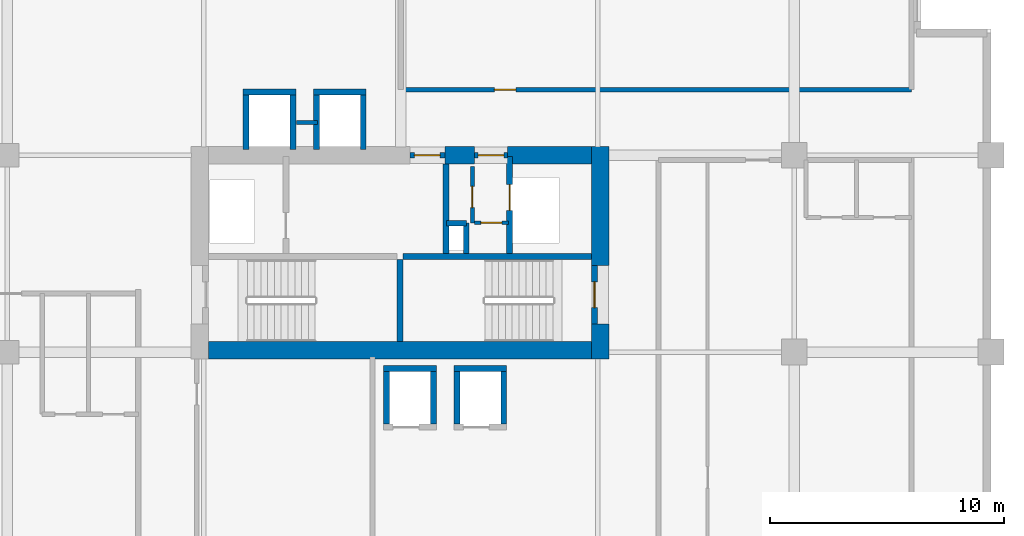
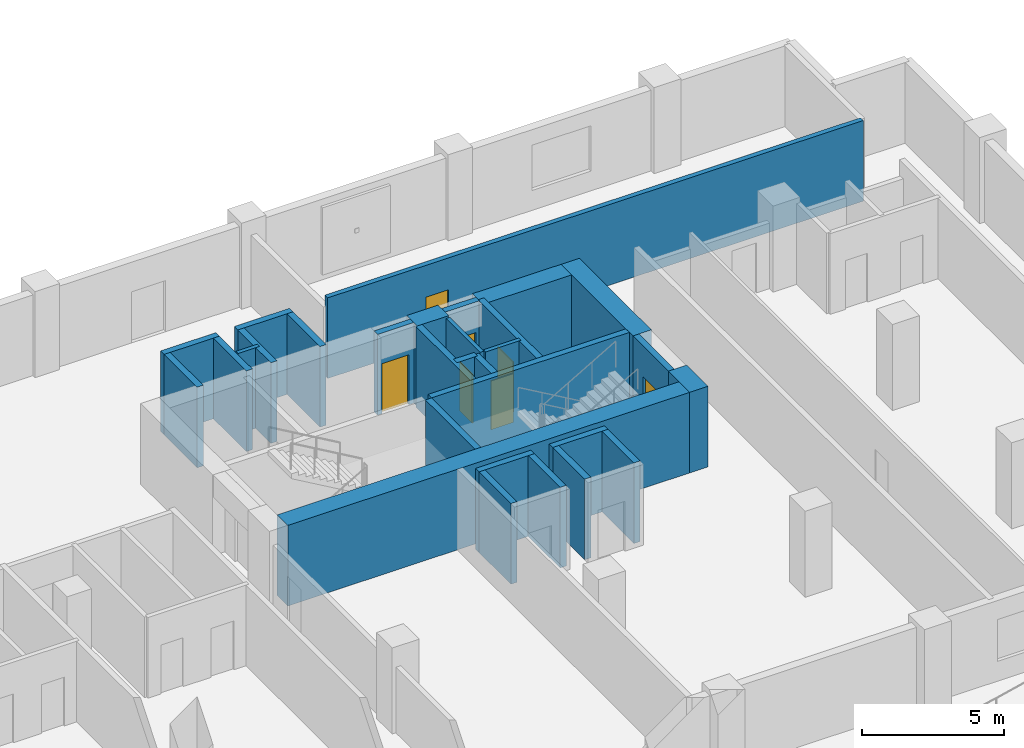
# One storey, part 6 of 16: 30 walls, 7 doors, 7 openings.
"""IFC4 building model written with IfcOpenShell, lengths in metres."""

import ifcopenshell
import ifcopenshell.guid

model = None  # the IFC model being written
_history = None  # IfcOwnerHistory: only IFC2X3 demands one
_inside = {}  # id of a spatial element -> (the spatial element, [elements in it])
_under = {}  # id of a project, library or spatial element -> (it, [spatial elements below it])
_declared = {}  # id of a project -> (the project, [libraries it declares])
_typed = {}  # id of a type object -> (the type object, [elements of that type])
_made_of = {}  # id of a material, layer set ... -> (it, [elements and type objects made of it])


def new_model(schema):
    """Start an empty IFC model of exactly this schema.

    Asked for "IFC4X3", IfcOpenShell would pick the latest addendum, in which some entities
    have other attributes; the version numbers below select the first issue.
    IFC2X3 requires an IfcOwnerHistory on every rooted entity: one is made here for all.
    """
    global model, _history
    if schema == "IFC4X3":
        model = ifcopenshell.file(schema_version=(4, 3, 0, 0))
    else:
        model = ifcopenshell.file(schema=schema)
    _inside.clear()
    _under.clear()
    _declared.clear()
    _typed.clear()
    _made_of.clear()
    _history = None
    if model.schema == "IFC2X3":
        org = make("IfcOrganization", Name="unknown")
        user = make(
            "IfcPersonAndOrganization",
            ThePerson=make("IfcPerson", FamilyName="unknown"),
            TheOrganization=org,
        )
        app = make(
            "IfcApplication",
            ApplicationDeveloper=org,
            Version="unknown",
            ApplicationFullName="unknown",
            ApplicationIdentifier="unknown",
        )
        _history = make(
            "IfcOwnerHistory",
            OwningUser=user,
            OwningApplication=app,
            ChangeAction="ADDED",
            CreationDate=0,
        )
    return model


def make(cls, **values):
    """One entity of the class cls with the attributes given. An attribute that is None is left unset."""
    return model.create_entity(
        cls, **{name: value for name, value in values.items() if value is not None}
    )


def rooted(cls, **values):
    """An entity with a GlobalId (a new one), such as an element, a storey or a relation."""
    return make(cls, GlobalId=ifcopenshell.guid.new(), OwnerHistory=_history, **values)


def si_unit(unit_type, name, prefix=None):
    """IfcSIUnit, for example si_unit("LENGTHUNIT", "METRE", prefix="MILLI")."""
    return make("IfcSIUnit", UnitType=unit_type, Prefix=prefix, Name=name)


def assignment(units):
    """IfcUnitAssignment: the units of a project."""
    return None if units is None else make("IfcUnitAssignment", Units=units)


def point(xyz):
    """IfcCartesianPoint."""
    return None if xyz is None else make("IfcCartesianPoint", Coordinates=xyz)


def direction(xyz):
    """IfcDirection."""
    return None if xyz is None else make("IfcDirection", DirectionRatios=xyz)


def frame(location, z_axis=None, x_axis=None):
    """IfcAxis2Placement3D, a coordinate frame: its origin and axes. An axis left out is left unset."""
    return make(
        "IfcAxis2Placement3D",
        Location=point(location),
        Axis=direction(z_axis),
        RefDirection=direction(x_axis),
    )


def frame_2d(location, x_axis=None):
    """IfcAxis2Placement2D, a coordinate frame in the plane: its origin and x axis."""
    return make(
        "IfcAxis2Placement2D", Location=point(location), RefDirection=direction(x_axis)
    )


def origin():
    """The frame at (0, 0, 0) with its axes left unset."""
    return frame((0.0, 0.0, 0.0))


def place(relative_to, where):
    """IfcLocalPlacement: puts the frame where relative to a parent placement (None: the world)."""
    return make(
        "IfcLocalPlacement", PlacementRelTo=relative_to, RelativePlacement=where
    )


def context(
    kind, dimensions, precision=None, world=None, true_north=None, identifier=None
):
    """IfcGeometricRepresentationContext, for example the 3D "Model" context."""
    return make(
        "IfcGeometricRepresentationContext",
        ContextIdentifier=identifier,
        ContextType=kind,
        CoordinateSpaceDimension=dimensions,
        Precision=precision,
        WorldCoordinateSystem=world,
        TrueNorth=true_north,
    )


def subcontext(parent, identifier, kind, view, scale=None):
    """IfcGeometricRepresentationSubContext, for example "Body" below "Model"."""
    return make(
        "IfcGeometricRepresentationSubContext",
        ContextIdentifier=identifier,
        ContextType=kind,
        ParentContext=parent,
        TargetScale=scale,
        TargetView=view,
    )


def project(units=None, contexts=None):
    """IfcProject with its units and contexts."""
    return rooted(
        "IfcProject",
        Name="project",
        RepresentationContexts=contexts,
        UnitsInContext=assignment(units),
    )


def spatial(cls, under=None, at=None, **own):
    """A site, building, storey or space (cls), placed at a placement, below another one or the project."""
    s = rooted(cls, ObjectPlacement=at, **own)
    if under is not None:
        _under.setdefault(under.id(), (under, []))[1].append(s)
    return s


def profile(cls, at=None, kind="AREA", **sizes):
    """A parametric profile (cls). Its sizes go by their IFC names, for example OverallWidth=200.0."""
    return make(cls, ProfileType=kind, Position=at, **sizes)


def rectangle(**sizes):
    """IfcRectangleProfileDef."""
    return profile("IfcRectangleProfileDef", **sizes)


def extrude(swept, where, along, depth):
    """IfcExtrudedAreaSolid: the profile swept, set in the frame where, extruded along a direction by depth."""
    return make(
        "IfcExtrudedAreaSolid",
        SweptArea=swept,
        Position=where,
        ExtrudedDirection=direction(along),
        Depth=depth,
    )


def shape(context_of_items, identifier, shape_type, items):
    """IfcShapeRepresentation: the items that make up one representation, for example the "Body"."""
    return make(
        "IfcShapeRepresentation",
        ContextOfItems=context_of_items,
        RepresentationIdentifier=identifier,
        RepresentationType=shape_type,
        Items=items,
    )


def material(Name=None, Category=None):
    """IfcMaterial."""
    return make("IfcMaterial", Name=Name, Category=Category)


def layer(
    of_material, thickness, ventilated=None, Name=None, Category=None, Priority=None
):
    """IfcMaterialLayer: one layer of a wall or slab, of a material (None: an air gap)."""
    return make(
        "IfcMaterialLayer",
        Material=of_material,
        LayerThickness=thickness,
        IsVentilated=ventilated,
        Name=Name,
        Category=Category,
        Priority=Priority,
    )


def layer_set(layers, Name=None):
    """IfcMaterialLayerSet."""
    return make("IfcMaterialLayerSet", MaterialLayers=layers, LayerSetName=Name)


def made_of(thing, what):
    """Note that an element or type object is made of a material, layer set ...; save() writes the relation."""
    if what is not None:
        _made_of.setdefault(what.id(), (what, []))[1].append(thing)
    return thing


def type_object(cls, material=None, **own):
    """A type object (cls), such as IfcWallType, which elements share."""
    return made_of(rooted(cls, **own), material)


def element(
    cls,
    number,
    at=None,
    inside=None,
    cuts=None,
    type_object=None,
    material=None,
    context=None,
    identifier="Body",
    shape_type=None,
    held_by="IfcProductDefinitionShape",
    body=None,
    shapes=None,
    **own,
):
    """One element of the class cls, such as IfcWall. Its Tag is "e" and its number.

    at: its placement. inside: the storey or other place that contains it. cuts: it is an
    opening in that element (IfcRelVoidsElement). A single representation is given by context,
    identifier, shape_type and body (its items); several are given by shapes. held_by: the class
    of the entity that holds the representations. save() writes the other relations.
    """
    e = rooted(cls, Tag="e%d" % number, ObjectPlacement=at, **own)
    if body is not None:
        shapes = [shape(context, identifier, shape_type, body)]
    if shapes is not None:
        e.Representation = make(held_by, Representations=shapes)
    if inside is not None:
        _inside.setdefault(inside.id(), (inside, []))[1].append(e)
    if cuts is not None:
        rooted(
            "IfcRelVoidsElement", RelatingBuildingElement=cuts, RelatedOpeningElement=e
        )
    if type_object is not None:
        _typed.setdefault(type_object.id(), (type_object, []))[1].append(e)
    return made_of(e, material)


def fill(opening, filler):
    """IfcRelFillsElement: the door or window that sits in an opening."""
    return rooted(
        "IfcRelFillsElement",
        RelatingOpeningElement=opening,
        RelatedBuildingElement=filler,
    )


def aggregate(whole, parts):
    """IfcRelAggregates: a whole, such as a stair, and the parts it consists of."""
    return rooted("IfcRelAggregates", RelatingObject=whole, RelatedObjects=parts)


def save(model, path):
    """Write the relations noted so far, then the file.

    IfcRelAggregates (storeys below a building ...), IfcRelContainedInSpatialStructure (elements
    in a storey), IfcRelDefinesByType, IfcRelAssociatesMaterial and IfcRelDeclares: one each for
    every whole, place, type object, material and project.
    """
    for whole, parts in _under.values():
        aggregate(whole, parts)
    for where, things in _inside.values():
        rooted(
            "IfcRelContainedInSpatialStructure",
            RelatedElements=things,
            RelatingStructure=where,
        )
    for kind, things in _typed.values():
        rooted("IfcRelDefinesByType", RelatedObjects=things, RelatingType=kind)
    for what, things in _made_of.values():
        rooted("IfcRelAssociatesMaterial", RelatedObjects=things, RelatingMaterial=what)
    for by, libraries in _declared.values():
        rooted("IfcRelDeclares", RelatingContext=by, RelatedDefinitions=libraries)
    model.write(path)


model = new_model("IFC4")

# Units and contexts
model_context = context("Model", 3, precision=1e-05, world=origin(), true_north=direction((0.0, 1.0)))
body_context = subcontext(model_context, "Body", "Model", "MODEL_VIEW")
ifc_project = project(units=[si_unit("LENGTHUNIT", "METRE"), si_unit("AREAUNIT", "SQUARE_METRE"), si_unit("VOLUMEUNIT", "CUBIC_METRE"), si_unit("PLANEANGLEUNIT", "RADIAN"), si_unit("MASSUNIT", "GRAM", prefix="KILO")], contexts=[model_context])

# Site, building, storey
site_placement = place(None, origin())
site = spatial("IfcSite", under=ifc_project, at=site_placement, CompositionType="ELEMENT")
building_placement = place(site_placement, origin())
building = spatial("IfcBuilding", under=site, at=building_placement, Name="Koriwani Terraces Tower", CompositionType="ELEMENT")
storey_placement = place(building_placement, frame((0.0, 0.0, 179.10009765625)))
storey = spatial("IfcBuildingStorey", under=building, at=storey_placement, Name="L43", CompositionType="ELEMENT", Elevation=179.10009765625)

# Walls
ifc_material_1 = material(Name="Concrete C60/75", Category="concrete")
ifc_layer_1 = layer(ifc_material_1, 0.75, Name="Concrete C60/75")
ifc_layer_set_1 = layer_set([ifc_layer_1], Name="Concrete C60/75")
wall_type_1 = type_object("IfcWallType", Name="WALL_CORE_RC_750", PredefinedType="SHEAR", material=ifc_layer_set_1)
wall_1_placement = place(storey_placement, frame((58.925048828125, 16.5, 0.0), z_axis=(0.0, 0.0, 1.0), x_axis=(0.0, 1.0, 0.0)))
element("IfcWall", 1, at=wall_1_placement, inside=storey, type_object=wall_type_1, Name="L43 East Split Core Shear Wall E1", PredefinedType="SHEAR", context=body_context, shape_type="SweptSolid", body=[
    extrude(rectangle(XDim=1.5, YDim=0.75, at=frame_2d((0.75, 0.0))), origin(), (0.0, 0.0, 1.0), 3.469970703125),
])
wall_2_placement = place(storey_placement, frame((58.925048828125, 20.5, 0.0), z_axis=(0.0, 0.0, 1.0), x_axis=(0.0, 1.0, 0.0)))
element("IfcWall", 2, at=wall_2_placement, inside=storey, type_object=wall_type_1, Name="L43 East Split Core Shear Wall E2", PredefinedType="SHEAR", context=body_context, shape_type="SweptSolid", body=[
    extrude(rectangle(XDim=5.074951171875, YDim=0.75, at=frame_2d((2.53759765625, 0.0))), origin(), (0.0, 0.0, 1.0), 3.469970703125),
])
wall_3_placement = place(storey_placement, frame((42.199951171875, 16.875, 0.0), z_axis=(0.0, 0.0, 1.0), x_axis=(1.0, 0.0, 0.0)))
element("IfcWall", 3, at=wall_3_placement, inside=storey, type_object=wall_type_1, Name="L43 East Split Core Shear Wall S1", PredefinedType="SHEAR", context=body_context, shape_type="SweptSolid", body=[
    extrude(rectangle(XDim=16.35009765625, YDim=0.75, at=frame_2d((8.175048828125, 0.0))), origin(), (0.0, 0.0, 1.0), 3.469970703125),
])
wall_4_placement = place(storey_placement, frame((52.280029296875, 25.199951171875, 0.0), z_axis=(0.0, 0.0, 1.0), x_axis=(1.0, 0.0, 0.0)))
element("IfcWall", 4, at=wall_4_placement, inside=storey, type_object=wall_type_1, Name="L43 East Split Core Shear Wall N2", PredefinedType="SHEAR", context=body_context, shape_type="SweptSolid", body=[
    extrude(rectangle(XDim=1.27001953125, YDim=0.75, at=frame_2d((0.635009765625, 0.0))), origin(), (0.0, 0.0, 1.0), 3.469970703125),
])
wall_5_placement = place(storey_placement, frame((54.949951171875, 25.199951171875, 0.0), z_axis=(0.0, 0.0, 1.0), x_axis=(1.0, 0.0, 0.0)))
element("IfcWall", 5, at=wall_5_placement, inside=storey, type_object=wall_type_1, Name="L43 East Split Core Shear Wall N3", PredefinedType="SHEAR", context=body_context, shape_type="SweptSolid", body=[
    extrude(rectangle(XDim=3.60009765625, YDim=0.75, at=frame_2d((1.800048828125, 0.0))), origin(), (0.0, 0.0, 1.0), 3.469970703125),
])

# Wall, opening, door
ifc_material_2 = material(Name="Autoclaved Cellular Concrete Blockwork", Category="masonry")
ifc_layer_2 = layer(ifc_material_2, 0.199951171875, Name="Autoclaved Cellular Concrete Blockwork")
ifc_layer_set_2 = layer_set([ifc_layer_2], Name="Autoclaved Cellular Concrete Blockwork")
wall_type_2 = type_object("IfcWallType", Name="WALL_CORRIDOR_200", PredefinedType="PARTITIONING", material=ifc_layer_set_2)
wall_6_placement = place(storey_placement, frame((50.39990234375, 28.0, 0.0), z_axis=(0.0, 0.0, 1.0), x_axis=(1.0, 0.0, 0.0)))
wall_6 = element("IfcWall", 6, at=wall_6_placement, inside=storey, type_object=wall_type_2, Name="L43 Interior Wall WSEC-S-L43", PredefinedType="PARTITIONING", context=body_context, shape_type="SweptSolid", body=[
    extrude(rectangle(XDim=21.800048828125, YDim=0.199951171875, at=frame_2d((10.89990234375, 0.0))), origin(), (0.0, 0.0, 1.0), 3.469970703125),
])
opening_1_placement = place(wall_6_placement, frame((4.0, 0.0, 0.0)))
opening_1 = element("IfcOpeningElement", 7, at=opening_1_placement, cuts=wall_6, Name="Opening D-06", PredefinedType="OPENING", context=body_context, shape_type="SweptSolid", body=[
    extrude(rectangle(XDim=0.919921875, YDim=2.10009765625, at=frame_2d((0.4599609375, 1.050048828125))), frame((0.0, 0.10986328125, 0.0), z_axis=(0.0, -1.0, 0.0), x_axis=(1.0, 0.0, 0.0)), (0.0, 0.0, 1.0), 0.219970703125),
])
ifc_material_3 = material(Name="Architectural Oak Fire Door", Category="wood")
door_type_1 = type_object("IfcDoorType", Name="DOOR_ROOM_INT_920X2100", OperationType="NOTDEFINED", PredefinedType="DOOR", material=ifc_material_3)
door_1_placement = place(opening_1_placement, origin())
door_1 = element("IfcDoor", 8, at=door_1_placement, inside=storey, type_object=door_type_1, Name="L43 East Court Study Door", OperationType="SINGLE_SWING_RIGHT", OverallHeight=2.10009765625, OverallWidth=0.919921875, PredefinedType="DOOR", context=body_context, shape_type="SweptSolid", body=[
    extrude(rectangle(XDim=0.919921875, YDim=2.10009765625, at=frame_2d((0.4599609375, 1.050048828125))), frame((0.0, 0.02490234375, 0.0), z_axis=(0.0, -1.0, 0.0), x_axis=(1.0, 0.0, 0.0)), (0.0, 0.0, 1.0), 0.050048828125),
])
fill(opening_1, door_1)

# Walls
ifc_material_4 = material(Name="Concrete C40/50", Category="concrete")
ifc_layer_3 = layer(ifc_material_4, 0.25, Name="Concrete C40/50")
ifc_layer_set_3 = layer_set([ifc_layer_3], Name="Concrete C40/50")
wall_type_3 = type_object("IfcWallType", Name="WALL_SHAFT_RATED_250", PredefinedType="SOLIDWALL", material=ifc_layer_set_3)
wall_7_placement = place(storey_placement, frame((50.5, 20.875, 0.0), z_axis=(0.0, 0.0, 1.0), x_axis=(1.0, 0.0, 0.0)))
element("IfcWall", 9, at=wall_7_placement, inside=storey, type_object=wall_type_3, Name="L43 East Split Core Web Wall MID2", PredefinedType="SOLIDWALL", context=body_context, shape_type="SweptSolid", body=[
    extrude(rectangle(XDim=8.050048828125, YDim=0.25, at=frame_2d((4.02490234375, 0.0))), origin(), (0.0, 0.0, 1.0), 3.469970703125),
])
wall_8_placement = place(storey_placement, frame((50.375, 17.25, 0.0), z_axis=(0.0, 0.0, 1.0), x_axis=(0.0, 1.0, 0.0)))
element("IfcWall", 10, at=wall_8_placement, inside=storey, type_object=wall_type_3, Name="L43 East Split Core Stair Dividing Wall", PredefinedType="SOLIDWALL", context=body_context, shape_type="SweptSolid", body=[
    extrude(rectangle(XDim=3.5, YDim=0.25, at=frame_2d((1.75, 0.0))), origin(), (0.0, 0.0, 1.0), 3.469970703125),
])

# Wall, opening, door
wall_9_placement = place(storey_placement, frame((58.675048828125, 18.0, 0.0), z_axis=(0.0, 0.0, 1.0), x_axis=(0.0, 1.0, 0.0)))
wall_9 = element("IfcWall", 11, at=wall_9_placement, inside=storey, type_object=wall_type_3, Name="L43 Interior Wall WIN-CE-L43-STE", PredefinedType="SOLIDWALL", context=body_context, shape_type="SweptSolid", body=[
    extrude(rectangle(XDim=2.5, YDim=0.25, at=frame_2d((1.25, 0.0))), origin(), (0.0, 0.0, 1.0), 3.469970703125),
])
opening_2_placement = place(wall_9_placement, frame((0.699951171875, 0.0, 0.0)))
opening_2 = element("IfcOpeningElement", 12, at=opening_2_placement, cuts=wall_9, Name="Opening D-03", PredefinedType="OPENING", context=body_context, shape_type="SweptSolid", body=[
    extrude(rectangle(XDim=1.10009765625, YDim=2.14990234375, at=frame_2d((0.550048828125, 1.074951171875))), frame((0.0, 0.135009765625, 0.0), z_axis=(0.0, -1.0, 0.0), x_axis=(1.0, 0.0, 0.0)), (0.0, 0.0, 1.0), 0.27001953125),
])
ifc_material_5 = material(Name="Steel ASTM A572 Grade 50", Category="steel")
door_type_2 = type_object("IfcDoorType", Name="DOOR_STAIR_FIRE_1100X2150", OperationType="NOTDEFINED", PredefinedType="DOOR", material=ifc_material_5)
door_2_placement = place(opening_2_placement, origin())
door_2 = element("IfcDoor", 13, at=door_2_placement, inside=storey, type_object=door_type_2, Name="L43 Exit Stair ST-E2 Door", OperationType="SINGLE_SWING_RIGHT", OverallHeight=2.14990234375, OverallWidth=1.10009765625, PredefinedType="DOOR", context=body_context, shape_type="SweptSolid", body=[
    extrude(rectangle(XDim=1.10009765625, YDim=2.14990234375, at=frame_2d((0.550048828125, 1.074951171875))), frame((0.0, 0.02490234375, 0.0), z_axis=(0.0, -1.0, 0.0), x_axis=(1.0, 0.0, 0.0)), (0.0, 0.0, 1.0), 0.050048828125),
])
fill(opening_2, door_2)

wall_10_placement = place(storey_placement, frame((50.800048828125, 25.199951171875, 0.0), z_axis=(0.0, 0.0, 1.0), x_axis=(1.0, 0.0, 0.0)))
wall_10 = element("IfcWall", 14, at=wall_10_placement, inside=storey, type_object=wall_type_3, Name="L43 Interior Wall WIN-CE-L43-NP", PredefinedType="SOLIDWALL", context=body_context, shape_type="SweptSolid", body=[
    extrude(rectangle(XDim=1.47998046875, YDim=0.25, at=frame_2d((0.739990234375, 0.0))), origin(), (0.0, 0.0, 1.0), 3.469970703125),
])
opening_3_placement = place(wall_10_placement, frame((0.179931640625, 0.0, 0.0)))
opening_3 = element("IfcOpeningElement", 15, at=opening_3_placement, cuts=wall_10, Name="Opening D-03", PredefinedType="OPENING", context=body_context, shape_type="SweptSolid", body=[
    extrude(rectangle(XDim=1.10009765625, YDim=2.14990234375, at=frame_2d((0.550048828125, 1.074951171875))), frame((0.0, 0.135009765625, 0.0), z_axis=(0.0, -1.0, 0.0), x_axis=(1.0, 0.0, 0.0)), (0.0, 0.0, 1.0), 0.27001953125),
])
door_3_placement = place(opening_3_placement, origin())
door_3 = element("IfcDoor", 16, at=door_3_placement, inside=storey, type_object=door_type_2, Name="L43 East Firefighting Lobby Door", OperationType="SINGLE_SWING_LEFT", OverallHeight=2.14990234375, OverallWidth=1.10009765625, PredefinedType="DOOR", context=body_context, shape_type="SweptSolid", body=[
    extrude(rectangle(XDim=1.10009765625, YDim=2.14990234375, at=frame_2d((0.550048828125, 1.074951171875))), frame((0.0, 0.02490234375, 0.0), z_axis=(0.0, -1.0, 0.0), x_axis=(1.0, 0.0, 0.0)), (0.0, 0.0, 1.0), 0.050048828125),
])
fill(opening_3, door_3)

# Wall
wall_11_placement = place(storey_placement, frame((52.340087890625, 21.0, 0.0), z_axis=(0.0, 0.0, 1.0), x_axis=(0.0, 1.0, 0.0)))
element("IfcWall", 17, at=wall_11_placement, inside=storey, type_object=wall_type_3, Name="L43 Interior Wall WIN-CE-L43-FFE", PredefinedType="SOLIDWALL", context=body_context, shape_type="SweptSolid", body=[
    extrude(rectangle(XDim=3.824951171875, YDim=0.25, at=frame_2d((1.91259765625, 0.0))), origin(), (0.0, 0.0, 1.0), 3.469970703125),
])

# Wall, opening, door
wall_12_placement = place(storey_placement, frame((55.050048828125, 21.0, 0.0), z_axis=(0.0, 0.0, 1.0), x_axis=(0.0, 1.0, 0.0)))
wall_12 = element("IfcWall", 18, at=wall_12_placement, inside=storey, type_object=wall_type_3, Name="L43 Interior Wall WIN-CE-L43-SE", PredefinedType="SOLIDWALL", context=body_context, shape_type="SweptSolid", body=[
    extrude(rectangle(XDim=4.14990234375, YDim=0.25, at=frame_2d((2.074951171875, 0.0))), origin(), (0.0, 0.0, 1.0), 3.469970703125),
])
opening_4_placement = place(wall_12_placement, frame((1.85009765625, 0.0, 0.0)))
opening_4 = element("IfcOpeningElement", 19, at=opening_4_placement, cuts=wall_12, Name="Opening LD-01", PredefinedType="OPENING", context=body_context, shape_type="SweptSolid", body=[
    extrude(rectangle(XDim=1.10009765625, YDim=2.14990234375, at=frame_2d((0.550048828125, 1.074951171875))), frame((0.0, 0.135009765625, 0.0), z_axis=(0.0, -1.0, 0.0), x_axis=(1.0, 0.0, 0.0)), (0.0, 0.0, 1.0), 0.27001953125),
])
door_type_3 = type_object("IfcDoorType", Name="DOOR_LIFT_LANDING_1100X2200", OperationType="NOTDEFINED", PredefinedType="DOOR", material=ifc_material_5)
door_4_placement = place(opening_4_placement, origin())
door_4 = element("IfcDoor", 20, at=door_4_placement, inside=storey, type_object=door_type_3, Name="L43 Goods Lift SE-02 Landing Door", OperationType="SLIDING_TO_LEFT", OverallHeight=2.14990234375, OverallWidth=1.10009765625, PredefinedType="DOOR", context=body_context, shape_type="SweptSolid", body=[
    extrude(rectangle(XDim=1.10009765625, YDim=2.14990234375, at=frame_2d((0.550048828125, 1.074951171875))), frame((0.0, 0.02490234375, 0.0), z_axis=(0.0, -1.0, 0.0), x_axis=(1.0, 0.0, 0.0)), (0.0, 0.0, 1.0), 0.050048828125),
])
fill(opening_4, door_4)

wall_13_placement = place(storey_placement, frame((53.550048828125, 25.199951171875, 0.0), z_axis=(0.0, 0.0, 1.0), x_axis=(1.0, 0.0, 0.0)))
wall_13 = element("IfcWall", 21, at=wall_13_placement, inside=storey, type_object=wall_type_3, Name="L43 Interior Wall WIN-CE-L43-NP2", PredefinedType="SOLIDWALL", context=body_context, shape_type="SweptSolid", body=[
    extrude(rectangle(XDim=1.39990234375, YDim=0.25, at=frame_2d((0.699951171875, 0.0))), origin(), (0.0, 0.0, 1.0), 3.469970703125),
])
opening_5_placement = place(wall_13_placement, frame((0.14990234375, 0.0, 0.0)))
opening_5 = element("IfcOpeningElement", 22, at=opening_5_placement, cuts=wall_13, Name="Opening D-03", PredefinedType="OPENING", context=body_context, shape_type="SweptSolid", body=[
    extrude(rectangle(XDim=1.10009765625, YDim=2.14990234375, at=frame_2d((0.550048828125, 1.074951171875))), frame((0.0, 0.135009765625, 0.0), z_axis=(0.0, -1.0, 0.0), x_axis=(1.0, 0.0, 0.0)), (0.0, 0.0, 1.0), 0.27001953125),
])
door_5_placement = place(opening_5_placement, origin())
door_5 = element("IfcDoor", 23, at=door_5_placement, inside=storey, type_object=door_type_2, Name="L43 East Goods Lift Lobby Door", OperationType="SINGLE_SWING_RIGHT", OverallHeight=2.14990234375, OverallWidth=1.10009765625, PredefinedType="DOOR", context=body_context, shape_type="SweptSolid", body=[
    extrude(rectangle(XDim=1.10009765625, YDim=2.14990234375, at=frame_2d((0.550048828125, 1.074951171875))), frame((0.0, 0.02490234375, 0.0), z_axis=(0.0, -1.0, 0.0), x_axis=(1.0, 0.0, 0.0)), (0.0, 0.0, 1.0), 0.050048828125),
])
fill(opening_5, door_5)

# Walls
wall_14_placement = place(storey_placement, frame((53.199951171875, 21.0, 0.0), z_axis=(0.0, 0.0, 1.0), x_axis=(0.0, 1.0, 0.0)))
element("IfcWall", 24, at=wall_14_placement, inside=storey, type_object=wall_type_3, Name="L43 Interior Wall WIN-CE-L43-RS1", PredefinedType="SOLIDWALL", context=body_context, shape_type="SweptSolid", body=[
    extrude(rectangle(XDim=1.300048828125, YDim=0.25, at=frame_2d((0.64990234375, 0.0))), origin(), (0.0, 0.0, 1.0), 3.469970703125),
])
wall_15_placement = place(storey_placement, frame((52.360107421875, 22.300048828125, 0.0), z_axis=(0.0, 0.0, 1.0), x_axis=(1.0, 0.0, 0.0)))
element("IfcWall", 25, at=wall_15_placement, inside=storey, type_object=wall_type_3, Name="L43 Interior Wall WIN-CE-L43-RS2", PredefinedType="SOLIDWALL", context=body_context, shape_type="SweptSolid", body=[
    extrude(rectangle(XDim=0.83984375, YDim=0.25, at=frame_2d((0.419921875, 0.0))), origin(), (0.0, 0.0, 1.0), 3.469970703125),
])
for number, where, z_axis, x_axis, name in (
    (26, (49.675048828125, 16.10009765625, 0.0), (0.0, 0.0, 1.0), (1.0, 0.0, 0.0), "L43 Interior Wall WIN-LF-PE-M3-L43-B"),
    (27, (49.800048828125, 13.72509765625, 0.0), (0.0, 0.0, 1.0), (0.0, 1.0, 0.0), "L43 Interior Wall WIN-LF-PE-M3-L43-W"),
    (28, (51.800048828125, 13.72509765625, 0.0), (0.0, 0.0, 1.0), (0.0, 1.0, 0.0), "L43 Interior Wall WIN-LF-PE-M3-L43-E"),
    (29, (52.675048828125, 16.10009765625, 0.0), (0.0, 0.0, 1.0), (1.0, 0.0, 0.0), "L43 Interior Wall WIN-LF-PE-M4-L43-B"),
    (30, (52.800048828125, 13.72509765625, 0.0), (0.0, 0.0, 1.0), (0.0, 1.0, 0.0), "L43 Interior Wall WIN-LF-PE-M4-L43-W"),
    (31, (54.800048828125, 13.72509765625, 0.0), (0.0, 0.0, 1.0), (0.0, 1.0, 0.0), "L43 Interior Wall WIN-LF-PE-M4-L43-E"),
    (32, (43.675048828125, 27.89990234375, 0.0), (0.0, 0.0, 1.0), (1.0, 0.0, 0.0), "L43 Interior Wall WIN-LF-PE-H3-L43-F"),
):
    element("IfcWall", number, at=place(storey_placement, frame(where, z_axis=z_axis, x_axis=x_axis)), inside=storey, type_object=wall_type_3, Name=name, PredefinedType="SOLIDWALL", context=body_context, shape_type="SweptSolid", body=[
        extrude(rectangle(XDim=2.25, YDim=0.25, at=frame_2d((1.125, 0.0))), origin(), (0.0, 0.0, 1.0), 3.469970703125),
    ])
for number, where, z_axis, x_axis, name in (
    (33, (43.800048828125, 25.449951171875, 0.0), (0.0, 0.0, 1.0), (0.0, 1.0, 0.0), "L43 Interior Wall WIN-LF-PE-H3-L43-W"),
    (34, (45.800048828125, 25.449951171875, 0.0), (0.0, 0.0, 1.0), (0.0, 1.0, 0.0), "L43 Interior Wall WIN-LF-PE-H3-L43-E"),
):
    element("IfcWall", number, at=place(storey_placement, frame(where, z_axis=z_axis, x_axis=x_axis)), inside=storey, type_object=wall_type_3, Name=name, PredefinedType="SOLIDWALL", context=body_context, shape_type="SweptSolid", body=[
        extrude(rectangle(XDim=2.324951171875, YDim=0.25, at=frame_2d((1.16259765625, 0.0))), origin(), (0.0, 0.0, 1.0), 3.469970703125),
    ])
wall_16_placement = place(storey_placement, frame((46.675048828125, 27.89990234375, 0.0), z_axis=(0.0, 0.0, 1.0), x_axis=(1.0, 0.0, 0.0)))
element("IfcWall", 35, at=wall_16_placement, inside=storey, type_object=wall_type_3, Name="L43 Interior Wall WIN-LF-PE-H4-L43-F", PredefinedType="SOLIDWALL", context=body_context, shape_type="SweptSolid", body=[
    extrude(rectangle(XDim=2.25, YDim=0.25, at=frame_2d((1.125, 0.0))), origin(), (0.0, 0.0, 1.0), 3.469970703125),
])
for number, where, z_axis, x_axis, name in (
    (36, (46.800048828125, 25.449951171875, 0.0), (0.0, 0.0, 1.0), (0.0, 1.0, 0.0), "L43 Interior Wall WIN-LF-PE-H4-L43-W"),
    (37, (48.800048828125, 25.449951171875, 0.0), (0.0, 0.0, 1.0), (0.0, 1.0, 0.0), "L43 Interior Wall WIN-LF-PE-H4-L43-E"),
):
    element("IfcWall", number, at=place(storey_placement, frame(where, z_axis=z_axis, x_axis=x_axis)), inside=storey, type_object=wall_type_3, Name=name, PredefinedType="SOLIDWALL", context=body_context, shape_type="SweptSolid", body=[
        extrude(rectangle(XDim=2.324951171875, YDim=0.25, at=frame_2d((1.16259765625, 0.0))), origin(), (0.0, 0.0, 1.0), 3.469970703125),
    ])

# Wall, opening, door
ifc_material_6 = material(Name="Fire-Rated Acoustic Gypsum Partition", Category="masonry")
ifc_layer_4 = layer(ifc_material_6, 0.159912109375, Name="Fire-Rated Acoustic Gypsum Partition")
ifc_layer_set_4 = layer_set([ifc_layer_4], Name="Fire-Rated Acoustic Gypsum Partition")
wall_type_4 = type_object("IfcWallType", Name="WALL_SUITE_160", PredefinedType="PARTITIONING", material=ifc_layer_set_4)
wall_17_placement = place(storey_placement, frame((53.56005859375, 22.320068359375, 0.0), z_axis=(0.0, 0.0, 1.0), x_axis=(1.0, 0.0, 0.0)))
wall_17 = element("IfcWall", 38, at=wall_17_placement, inside=storey, type_object=wall_type_4, Name="L43 Interior Wall WIN-CE-L43-SV1A", PredefinedType="PARTITIONING", context=body_context, shape_type="SweptSolid", body=[
    extrude(rectangle(XDim=1.43994140625, YDim=0.159912109375, at=frame_2d((0.719970703125, 0.0))), origin(), (0.0, 0.0, 1.0), 3.469970703125),
])
opening_6_placement = place(wall_17_placement, frame((0.260009765625, 0.0, 0.0)))
opening_6 = element("IfcOpeningElement", 39, at=opening_6_placement, cuts=wall_17, Name="Opening D-07", PredefinedType="OPENING", context=body_context, shape_type="SweptSolid", body=[
    extrude(rectangle(XDim=0.89990234375, YDim=2.10009765625, at=frame_2d((0.449951171875, 1.050048828125))), frame((0.0, 0.08984375, 0.0), z_axis=(0.0, -1.0, 0.0), x_axis=(1.0, 0.0, 0.0)), (0.0, 0.0, 1.0), 0.179931640625),
])
door_type_4 = type_object("IfcDoorType", Name="DOOR_BATH_INT_900X2100", OperationType="NOTDEFINED", PredefinedType="DOOR", material=ifc_material_3)
door_6_placement = place(opening_6_placement, origin())
door_6 = element("IfcDoor", 40, at=door_6_placement, inside=storey, type_object=door_type_4, Name="L43 East Telecom Room Door", OperationType="SINGLE_SWING_LEFT", OverallHeight=2.10009765625, OverallWidth=0.89990234375, PredefinedType="DOOR", context=body_context, shape_type="SweptSolid", body=[
    extrude(rectangle(XDim=0.89990234375, YDim=2.10009765625, at=frame_2d((0.449951171875, 1.050048828125))), frame((0.0, 0.02490234375, 0.0), z_axis=(0.0, -1.0, 0.0), x_axis=(1.0, 0.0, 0.0)), (0.0, 0.0, 1.0), 0.050048828125),
])
fill(opening_6, door_6)

wall_18_placement = place(storey_placement, frame((53.4599609375, 22.320068359375, 0.0), z_axis=(0.0, 0.0, 1.0), x_axis=(0.0, 1.0, 0.0)))
wall_18 = element("IfcWall", 41, at=wall_18_placement, inside=storey, type_object=wall_type_4, Name="L43 Interior Wall WIN-CE-L43-SV1B", PredefinedType="PARTITIONING", context=body_context, shape_type="SweptSolid", body=[
    extrude(rectangle(XDim=2.39990234375, YDim=0.159912109375, at=frame_2d((1.199951171875, 0.0))), origin(), (0.0, 0.0, 1.0), 3.469970703125),
])
opening_7_placement = place(wall_18_placement, frame((0.64990234375, 0.0, 0.0)))
opening_7 = element("IfcOpeningElement", 42, at=opening_7_placement, cuts=wall_18, Name="Opening D-07", PredefinedType="OPENING", context=body_context, shape_type="SweptSolid", body=[
    extrude(rectangle(XDim=0.89990234375, YDim=2.10009765625, at=frame_2d((0.449951171875, 1.050048828125))), frame((0.0, 0.08984375, 0.0), z_axis=(0.0, -1.0, 0.0), x_axis=(1.0, 0.0, 0.0)), (0.0, 0.0, 1.0), 0.179931640625),
])
door_7_placement = place(opening_7_placement, origin())
door_7 = element("IfcDoor", 43, at=door_7_placement, inside=storey, type_object=door_type_4, Name="L43 East Cleaners Closet Door", OperationType="SINGLE_SWING_RIGHT", OverallHeight=2.10009765625, OverallWidth=0.89990234375, PredefinedType="DOOR", context=body_context, shape_type="SweptSolid", body=[
    extrude(rectangle(XDim=0.89990234375, YDim=2.10009765625, at=frame_2d((0.449951171875, 1.050048828125))), frame((0.0, 0.02490234375, 0.0), z_axis=(0.0, -1.0, 0.0), x_axis=(1.0, 0.0, 0.0)), (0.0, 0.0, 1.0), 0.050048828125),
])
fill(opening_7, door_7)

# Wall
wall_19_placement = place(storey_placement, frame((45.9599609375, 26.60009765625, 0.0), z_axis=(0.0, 0.0, 1.0), x_axis=(1.0, 0.0, 0.0)))
element("IfcWall", 44, at=wall_19_placement, inside=storey, type_object=wall_type_4, Name="L43 Interior Wall WIN-LF-PEH34-MID-L43", PredefinedType="PARTITIONING", context=body_context, shape_type="SweptSolid", body=[
    extrude(rectangle(XDim=0.880126953125, YDim=0.159912109375, at=frame_2d((0.43994140625, 0.0))), origin(), (0.0, 0.0, 1.0), 3.469970703125),
])

save(model, "model.ifc")
